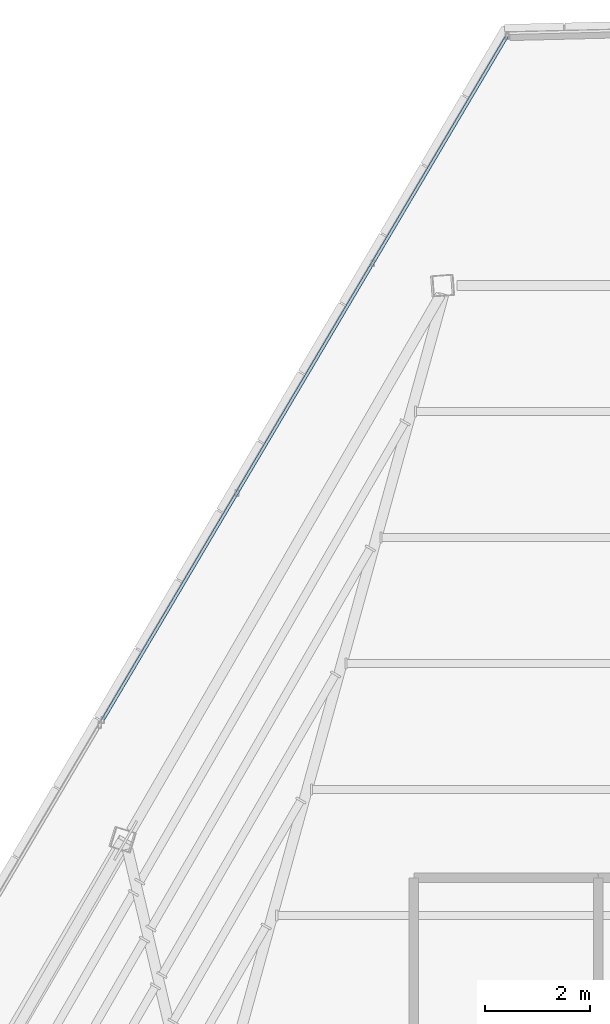
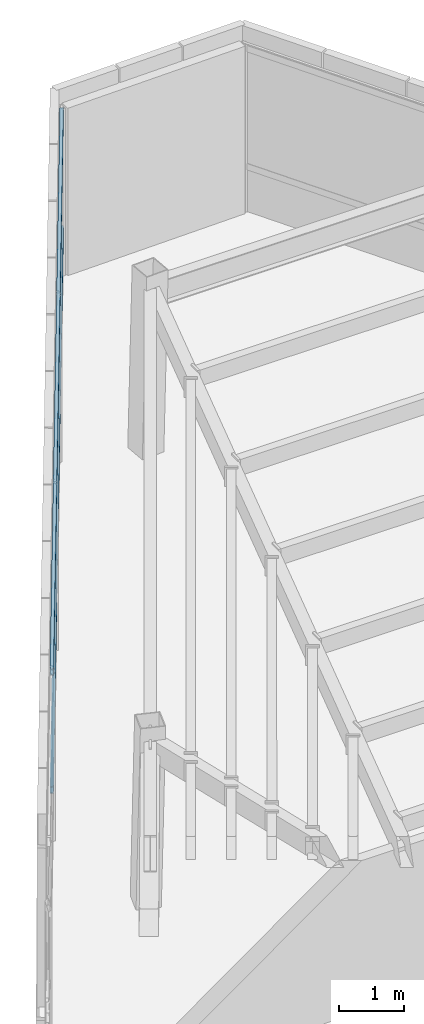
# One storey, part 33 of 47: 2 members, 1 element without a shape of its own.
"""IFC4 building model written with IfcOpenShell, lengths in metres."""

from ifc_helpers import new_model, si_unit, direction, frame, origin, origin_2d, place, context, subcontext, project, spatial, hollow_rectangle, extrude, source, transform, mapped, material, material_profile, profile_set, type_object, type_shapes, element, aggregate, save


model = new_model("IFC4")

# Units and contexts
model_context = context("Model", 3, precision=1e-05, world=origin(), true_north=direction((0.0, 1.0)))
body_context = subcontext(model_context, "Body", "Model", "MODEL_VIEW")
ifc_project = project(units=[si_unit("LENGTHUNIT", "METRE"), si_unit("AREAUNIT", "SQUARE_METRE"), si_unit("VOLUMEUNIT", "CUBIC_METRE"), si_unit("PLANEANGLEUNIT", "RADIAN"), si_unit("MASSUNIT", "GRAM", prefix="KILO")], contexts=[model_context])

# Site, building, storey
site_placement = place(None, origin())
site = spatial("IfcSite", under=ifc_project, at=site_placement, CompositionType="ELEMENT")
building_placement = place(site_placement, origin())
building = spatial("IfcBuilding", under=site, at=building_placement, Name="Caelisora Broadcast Tower", CompositionType="ELEMENT")
storey_placement = place(building_placement, frame((0.0, 0.0, 293.199951171875)))
storey = spatial("IfcBuildingStorey", under=building, at=storey_placement, Name="L77", CompositionType="ELEMENT", Elevation=293.199951171875)

# Curtain wall, members
ifc_material_1 = material(Name="Unitised Aluminium Insulated Shadow-Box Spandrel Curtain Wall", Category="aluminium")
curtain_wall_type = type_object("IfcCurtainWallType", Name="CW-SP3", PredefinedType="NOTDEFINED", material=ifc_material_1)
curtain_wall_placement = place(storey_placement, origin())
curtain_wall = element("IfcCurtainWall", 1, at=curtain_wall_placement, inside=storey, type_object=curtain_wall_type, Name="L77 curtain wall CW-SP3", PredefinedType="NOTDEFINED")
ifc_material_2 = material(Name="Aluminium 6063-T6 Anodised Terracotta Bronze", Category="aluminium")
ifc_material_profile = material_profile(ifc_material_2, hollow_rectangle(XDim=0.06005859375, YDim=0.1201171875, WallThickness=0.0029296875, at=origin_2d()), Name="Aluminium 6063-T6 Anodised Terracotta Bronze")
ifc_profile_set = profile_set([ifc_material_profile], Name="Aluminium 6063-T6 Anodised Terracotta Bronze")
member_type = type_object("IfcMemberType", Name="CWT-03", PredefinedType="USERDEFINED", material=ifc_profile_set)
shared_shape = source(origin(), body_context, "Body", "SweptSolid", [
    extrude(hollow_rectangle(XDim=0.06005859375, YDim=0.1201171875, WallThickness=0.0029296875, at=origin_2d()), origin(), (0.0, 0.0, 1.0), 15.083251953125),
])
type_shapes(member_type, [shared_shape])
member_1_placement = place(storey_placement, frame((28.59765625, 38.49169921875, 0.85009765625), z_axis=(0.508762031016, 0.860907193486, 0.0), x_axis=(-0.860907193486, 0.508762031016, 0.0)))
member_1 = element("IfcMember", 2, at=member_1_placement, type_object=member_type, Name="L77-CW-B11 transom #1", ObjectType="TRANSOM", PredefinedType="USERDEFINED", context=body_context, shape_type="MappedRepresentation", body=[
    mapped(shared_shape, transform((0.0, 0.0, 0.0), scale=1.0)),
])
member_2_placement = place(storey_placement, frame((28.59765625, 38.49169921875, 3.070068359375), z_axis=(0.508762031016, 0.860907193486, 0.0), x_axis=(-0.860907193486, 0.508762031016, 0.0)))
member_2 = element("IfcMember", 3, at=member_2_placement, type_object=member_type, Name="L77-CW-B11 transom #2", ObjectType="TRANSOM", PredefinedType="USERDEFINED", context=body_context, shape_type="MappedRepresentation", body=[
    mapped(shared_shape, transform((0.0, 0.0, 0.0), scale=1.0)),
])
aggregate(curtain_wall, [member_1, member_2])

save(model, "model.ifc")
